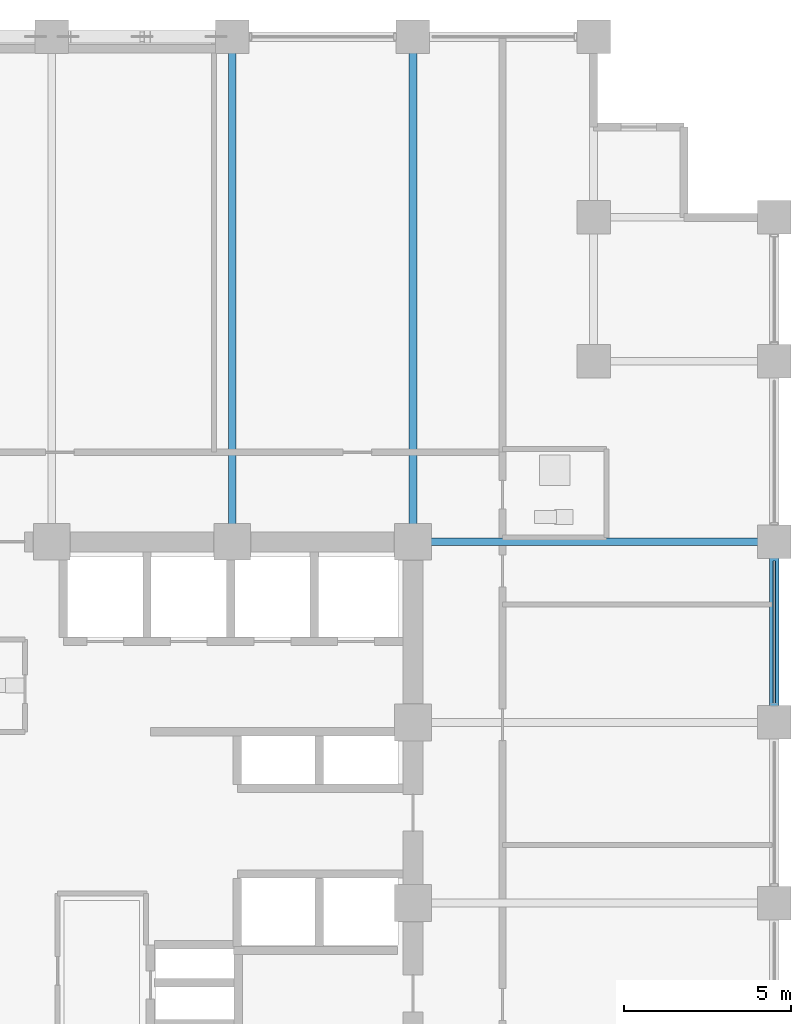
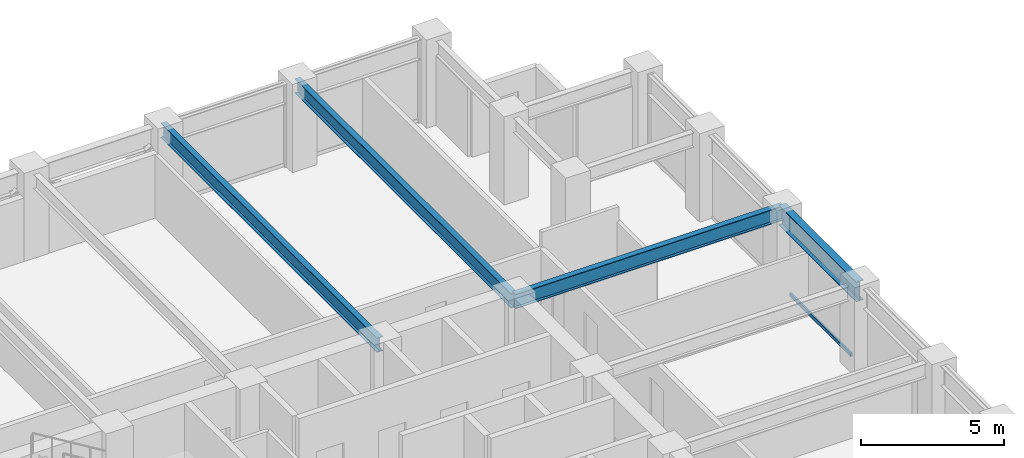
# One storey, part 14 of 23: 4 beams, 1 member, 1 element without a shape of its own.
"""IFC4 building model written with IfcOpenShell, lengths in metres."""

from ifc_helpers import new_model, si_unit, direction, frame, origin, origin_2d, place, context, subcontext, project, spatial, hollow_rectangle, i_section, extrude, material, layer, layer_set, material_profile, profile_set, type_object, element, aggregate, save


model = new_model("IFC4")

# Units and contexts
model_context = context("Model", 3, precision=1e-05, world=origin(), true_north=direction((0.0, 1.0)))
body_context = subcontext(model_context, "Body", "Model", "MODEL_VIEW")
ifc_project = project(units=[si_unit("LENGTHUNIT", "METRE"), si_unit("AREAUNIT", "SQUARE_METRE"), si_unit("VOLUMEUNIT", "CUBIC_METRE"), si_unit("PLANEANGLEUNIT", "RADIAN"), si_unit("MASSUNIT", "GRAM", prefix="KILO")], contexts=[model_context])

# Site, building, storey
site_placement = place(None, origin())
site = spatial("IfcSite", under=ifc_project, at=site_placement, CompositionType="ELEMENT")
building_placement = place(site_placement, origin())
building = spatial("IfcBuilding", under=site, at=building_placement, Name="Surkhivell Harbour Commons", CompositionType="ELEMENT")
storey_placement = place(building_placement, frame((0.0, 0.0, 132.0)))
storey = spatial("IfcBuildingStorey", under=building, at=storey_placement, Name="L34", CompositionType="ELEMENT", Elevation=132.0)

# Beams
ifc_material_1 = material(Name="Steel S355", Category="steel")
ifc_material_profile_1 = material_profile(ifc_material_1, i_section(OverallWidth=0.22998046875, OverallDepth=0.616943359375, WebThickness=0.01318359375, FlangeThickness=0.022216796875, at=origin_2d()), Name="UB610x229x140")
ifc_profile_set_1 = profile_set([ifc_material_profile_1], Name="Steel S355")
beam_type_1 = type_object("IfcBeamType", Name="BM-GRD-610B", PredefinedType="BEAM", material=ifc_profile_set_1)
for number, where, z_axis, x_axis, name in (
    (1, (5.39990234375, 10.800048828125, 3.261474609375), (0.0, 1.0, 0.0), (-1.0, 0.0, 0.0), "L34 Floor Girder (5.4,10.8)"),
    (2, (10.800048828125, 10.800048828125, 3.261474609375), (0.0, 1.0, 0.0), (-1.0, 0.0, 0.0), "L34 Floor Girder (10.8,10.8)"),
):
    element("IfcBeam", number, at=place(storey_placement, frame(where, z_axis=z_axis, x_axis=x_axis)), inside=storey, type_object=beam_type_1, Name=name, PredefinedType="BEAM", context=body_context, shape_type="SweptSolid", body=[
        extrude(i_section(OverallWidth=0.22998046875, OverallDepth=0.616943359375, WebThickness=0.01318359375, FlangeThickness=0.022216796875, at=origin_2d()), origin(), (0.0, 0.0, 1.0), 15.099853515625),
    ])
beam_1_placement = place(storey_placement, frame((10.800048828125, 10.800048828125, 3.261474609375), z_axis=(1.0, 0.0, 0.0), x_axis=(0.0, 1.0, 0.0)))
element("IfcBeam", 3, at=beam_1_placement, inside=storey, type_object=beam_type_1, Name="L34 Floor Girder (10.8,10.8)", PredefinedType="BEAM", context=body_context, shape_type="SweptSolid", body=[
    extrude(i_section(OverallWidth=0.22998046875, OverallDepth=0.616943359375, WebThickness=0.01318359375, FlangeThickness=0.022216796875, at=origin_2d()), origin(), (0.0, 0.0, 1.0), 10.800048828125),
])
ifc_material_2 = material(Name="Steel S460", Category="steel")
ifc_material_profile_2 = material_profile(ifc_material_2, i_section(OverallWidth=0.2939453125, OverallDepth=0.85107421875, WebThickness=0.01611328125, FlangeThickness=0.02685546875, at=origin_2d()), Name="UB838x292x226")
ifc_profile_set_2 = profile_set([ifc_material_profile_2], Name="Steel S460")
beam_type_2 = type_object("IfcBeamType", Name="BM-SPN-838", PredefinedType="SPANDREL", material=ifc_profile_set_2)
beam_2_placement = place(storey_placement, frame((21.60009765625, 5.39990234375, 3.14453125), z_axis=(0.0, 1.0, 0.0), x_axis=(-1.0, 0.0, 0.0)))
element("IfcBeam", 4, at=beam_2_placement, inside=storey, type_object=beam_type_2, Name="L34 Tube Spandrel (21.6,5.4)", PredefinedType="SPANDREL", context=body_context, shape_type="SweptSolid", body=[
    extrude(i_section(OverallWidth=0.2939453125, OverallDepth=0.85107421875, WebThickness=0.01611328125, FlangeThickness=0.02685546875, at=origin_2d()), origin(), (0.0, 0.0, 1.0), 5.400146484375),
])

# Curtain wall, member
ifc_material_3 = material(Name="Anodised pale-metal aluminium and insulated glazing", Category="aluminium")
ifc_layer = layer(ifc_material_3, 0.205078125)
ifc_layer_set = layer_set([ifc_layer], Name="Anodised pale-metal aluminium and insulated glazing")
curtain_wall_type = type_object("IfcCurtainWallType", Name="CW-SYS-Z2", PredefinedType="NOTDEFINED", material=ifc_layer_set)
curtain_wall_placement = place(storey_placement, origin())
curtain_wall = element("IfcCurtainWall", 5, at=curtain_wall_placement, inside=storey, type_object=curtain_wall_type, Name="L34 Curtain Wall CW-L34-E02", PredefinedType="NOTDEFINED")
ifc_material_4 = material(Name="Anodised pale-metal aluminium alloy 6063-T6", Category="aluminium")
ifc_material_profile_3 = material_profile(ifc_material_4, hollow_rectangle(XDim=0.074951171875, YDim=0.14990234375, WallThickness=0.00341796875, at=origin_2d()), Name="ALU-TRAN-75x150")
ifc_profile_set_3 = profile_set([ifc_material_profile_3], Name="Anodised pale-metal aluminium alloy 6063-T6")
member_type = type_object("IfcMemberType", Name="CWT-150", PredefinedType="USERDEFINED", material=ifc_profile_set_3)
member_placement = place(storey_placement, frame((21.60009765625, 5.97705078125, 0.074951171875), z_axis=(0.0, 1.0, 0.0), x_axis=(-1.0, 0.0, 0.0)))
member = element("IfcMember", 6, at=member_placement, type_object=member_type, Name="CW-Z2 transom 3.1", ObjectType="TRANSOM", PredefinedType="USERDEFINED", context=body_context, shape_type="SweptSolid", body=[
    extrude(hollow_rectangle(XDim=0.074951171875, YDim=0.14990234375, WallThickness=0.00341796875, at=origin_2d()), origin(), (0.0, 0.0, 1.0), 4.245849609375),
])
aggregate(curtain_wall, [member])

save(model, "model.ifc")
